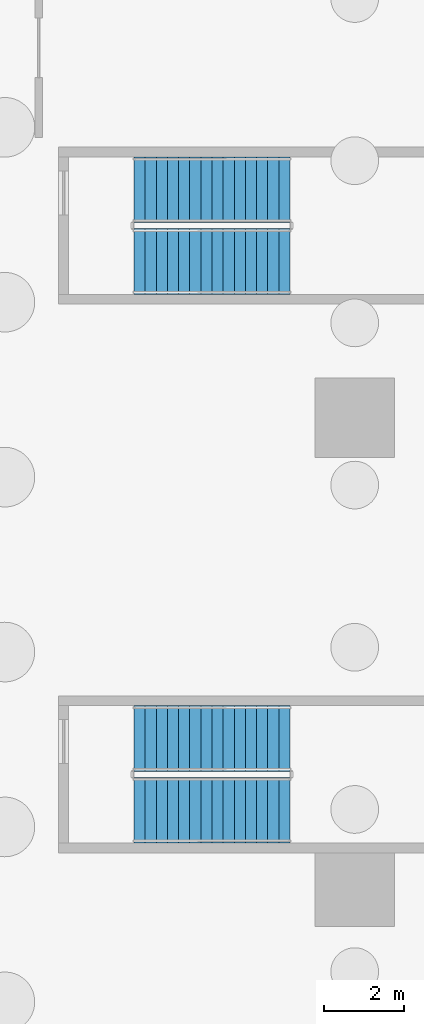
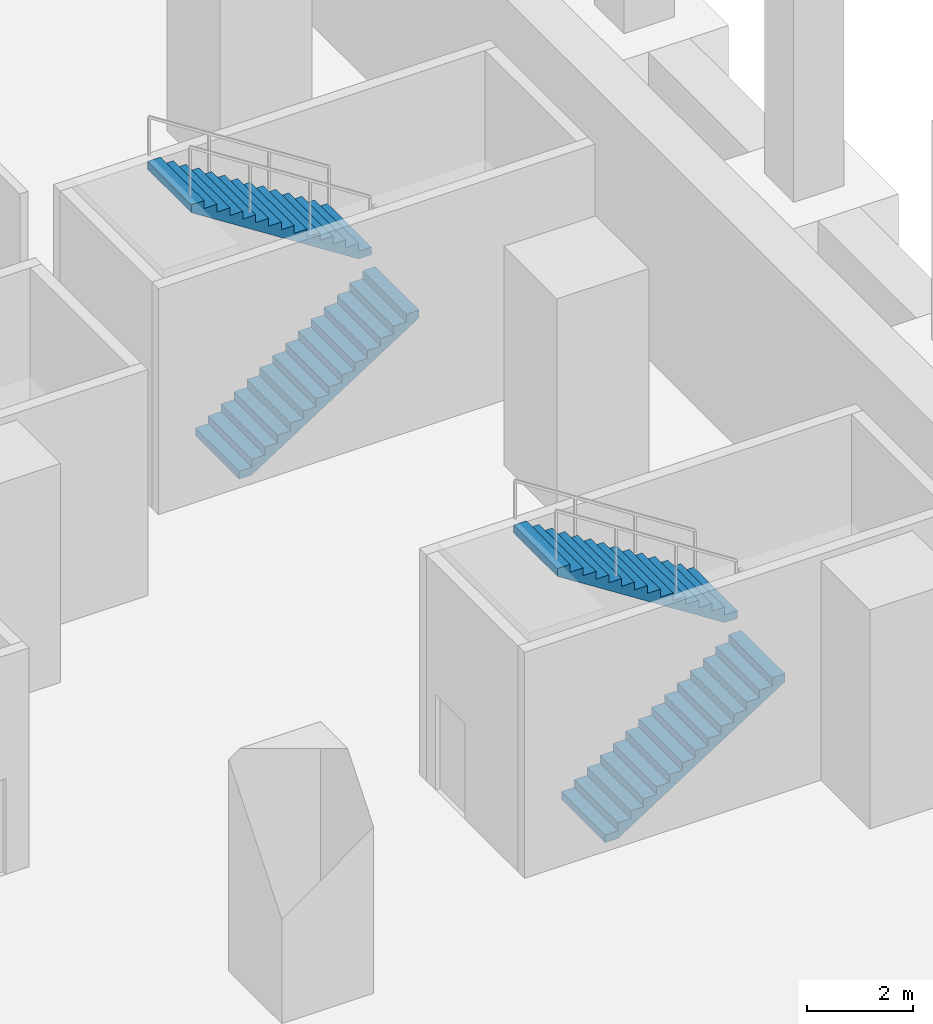
# One storey, part 7 of 14: 4 stair flights, 2 elements without a shape of their own.
"""IFC4 building model written with IfcOpenShell, lengths in metres."""

from ifc_helpers import new_model, si_unit, direction, frame, origin, place, context, subcontext, project, spatial, polyline, outline, extrude, source, transform, mapped, material, type_object, element, aggregate, save


model = new_model("IFC4")

# Units and contexts
model_context = context("Model", 3, precision=1e-05, world=origin(), true_north=direction((0.0, 1.0)))
body_context = subcontext(model_context, "Body", "Model", "MODEL_VIEW")
ifc_project = project(units=[si_unit("LENGTHUNIT", "METRE"), si_unit("AREAUNIT", "SQUARE_METRE"), si_unit("VOLUMEUNIT", "CUBIC_METRE"), si_unit("PLANEANGLEUNIT", "RADIAN"), si_unit("MASSUNIT", "GRAM", prefix="KILO")], contexts=[model_context])

# Site, building, storey
site_placement = place(None, origin())
site = spatial("IfcSite", under=ifc_project, at=site_placement, CompositionType="ELEMENT")
building_placement = place(site_placement, origin())
building = spatial("IfcBuilding", under=site, at=building_placement, Name="Vardaveli Station Tower", CompositionType="ELEMENT")
storey_placement = place(building_placement, frame((0.0, 0.0, -11.39990234375)))
storey = spatial("IfcBuildingStorey", under=building, at=storey_placement, Name="B02", CompositionType="ELEMENT", Elevation=-11.39990234375)

# Stair, stair flights
ifc_material = material(Name="Structural steel S355J2", Category="steel")
stair_type = type_object("IfcStairType", Name="STR-FEAT-1650", PredefinedType="STRAIGHT_RUN_STAIR", material=ifc_material)
stair_1_placement = place(storey_placement, origin())
stair_1 = element("IfcStair", 1, at=stair_1_placement, inside=storey, type_object=stair_type, Name="B02 ST-C1", PredefinedType="HALF_TURN_STAIR")
stair_flight_type = type_object("IfcStairFlightType", Name="SFL-FEAT-1650", PredefinedType="STRAIGHT", material=ifc_material)
shared_shape = source(origin(), body_context, "Body", "SweptSolid", [
    extrude(outline(polyline([(0.0, 0.0), (0.0, 0.179931640625), (0.280029296875, 0.179931640625), (0.280029296875, 0.360107421875), (0.56005859375, 0.360107421875), (0.56005859375, 0.5400390625), (0.840087890625, 0.5400390625), (0.840087890625, 0.719970703125), (1.1201171875, 0.719970703125), (1.1201171875, 0.89990234375), (1.39990234375, 0.89990234375), (1.39990234375, 1.080078125), (1.679931640625, 1.080078125), (1.679931640625, 1.260009765625), (1.9599609375, 1.260009765625), (1.9599609375, 1.43994140625), (2.239990234375, 1.43994140625), (2.239990234375, 1.6201171875), (2.52001953125, 1.6201171875), (2.52001953125, 1.800048828125), (2.800048828125, 1.800048828125), (2.800048828125, 1.97998046875), (3.080078125, 1.97998046875), (3.080078125, 2.159912109375), (3.360107421875, 2.159912109375), (3.360107421875, 2.340087890625), (3.639892578125, 2.340087890625), (3.639892578125, 2.52001953125), (3.919921875, 2.52001953125), (3.919921875, 2.699951171875), (3.919921875, 2.341796875), (0.277099609375, 0.0), (0.0, 0.0)])), frame((0.0, 0.824951171875, 0.0), z_axis=(0.0, -1.0, 0.0), x_axis=(1.0, 0.0, 0.0)), (0.0, 0.0, 1.0), 1.64990234375),
])
stair_flight_1_placement = place(storey_placement, frame((67.25, 19.02490234375, 0.0), z_axis=(0.0, 0.0, 1.0), x_axis=(1.0, 0.0, 0.0)))
stair_flight_1 = element("IfcStairFlight", 2, at=stair_flight_1_placement, type_object=stair_flight_type, Name="ST-C1 flight 1", NumberOfRisers=15, NumberOfTreads=14, PredefinedType="STRAIGHT", RiserHeight=0.18, TreadLength=0.28, context=body_context, shape_type="MappedRepresentation", body=[
    mapped(shared_shape, transform((0.0, 0.0, 0.0), scale=1.0)),
])
stair_flight_2_placement = place(storey_placement, frame((71.169921875, 20.824951171875, 2.699951171875), z_axis=(0.0, 0.0, 1.0), x_axis=(-1.0, 0.0, 0.0)))
stair_flight_2 = element("IfcStairFlight", 3, at=stair_flight_2_placement, type_object=stair_flight_type, Name="ST-C1 flight 2", NumberOfRisers=15, NumberOfTreads=14, PredefinedType="STRAIGHT", RiserHeight=0.18, TreadLength=0.28, context=body_context, shape_type="MappedRepresentation", body=[
    mapped(shared_shape, transform((0.0, 0.0, 0.0), scale=1.0)),
])
aggregate(stair_1, [stair_flight_1, stair_flight_2])

stair_2_placement = place(storey_placement, origin())
stair_2 = element("IfcStair", 4, at=stair_2_placement, inside=storey, type_object=stair_type, Name="B02 ST-C2", PredefinedType="HALF_TURN_STAIR")
stair_flight_3_placement = place(storey_placement, frame((67.25, 32.824951171875, 0.0), z_axis=(0.0, 0.0, 1.0), x_axis=(1.0, 0.0, 0.0)))
stair_flight_3 = element("IfcStairFlight", 5, at=stair_flight_3_placement, type_object=stair_flight_type, Name="ST-C2 flight 1", NumberOfRisers=15, NumberOfTreads=14, PredefinedType="STRAIGHT", RiserHeight=0.18, TreadLength=0.28, context=body_context, shape_type="MappedRepresentation", body=[
    mapped(shared_shape, transform((0.0, 0.0, 0.0), scale=1.0)),
])
stair_flight_4_placement = place(storey_placement, frame((71.169921875, 34.625, 2.699951171875), z_axis=(0.0, 0.0, 1.0), x_axis=(-1.0, 0.0, 0.0)))
stair_flight_4 = element("IfcStairFlight", 6, at=stair_flight_4_placement, type_object=stair_flight_type, Name="ST-C2 flight 2", NumberOfRisers=15, NumberOfTreads=14, PredefinedType="STRAIGHT", RiserHeight=0.18, TreadLength=0.28, context=body_context, shape_type="MappedRepresentation", body=[
    mapped(shared_shape, transform((0.0, 0.0, 0.0), scale=1.0)),
])
aggregate(stair_2, [stair_flight_3, stair_flight_4])

save(model, "model.ifc")
